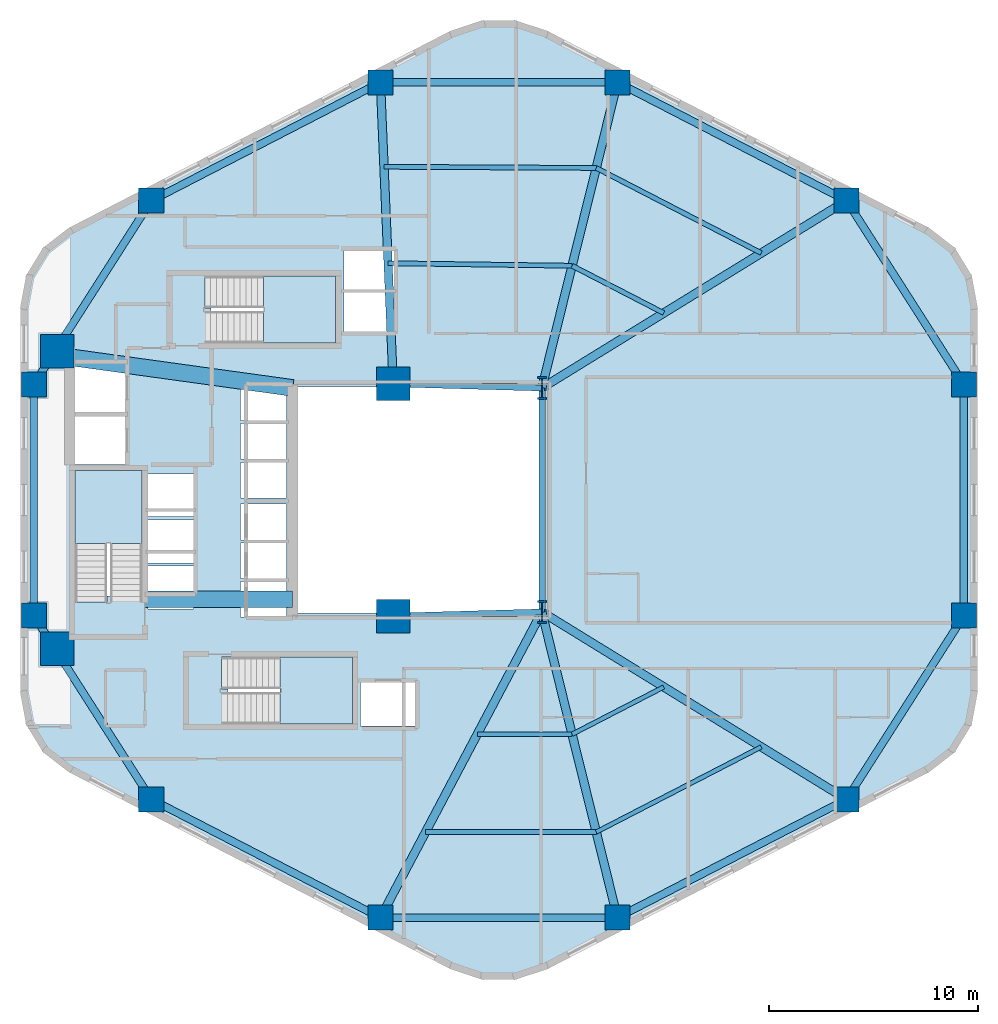
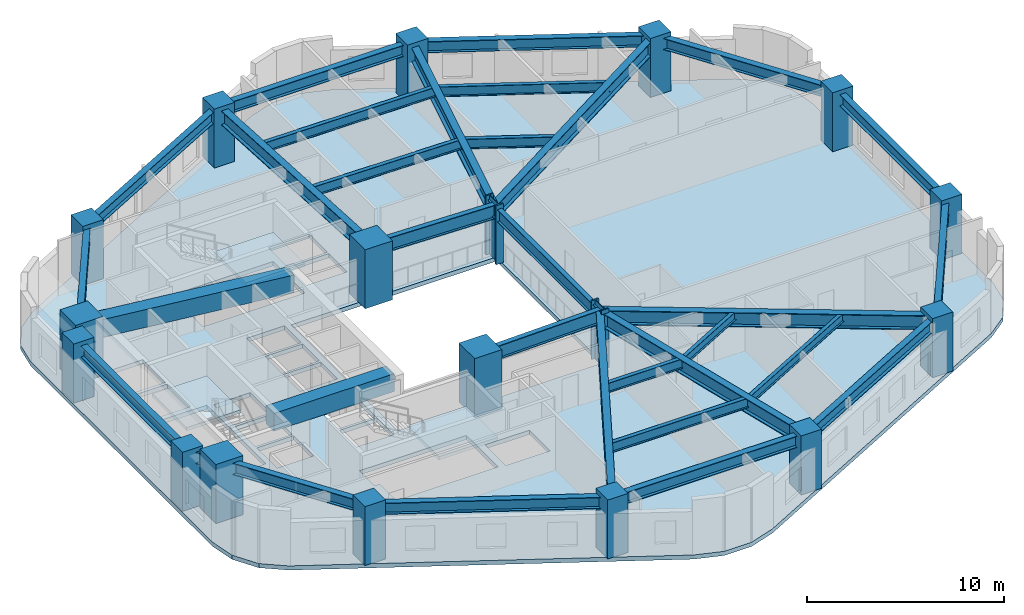
# One storey, part 1 of 7: 31 beams, 18 columns, 4 slabs, 3 elements without a shape of their own.
"""IFC4 building model written with IfcOpenShell, lengths in metres."""

from ifc_helpers import new_model, si_unit, direction, frame, origin, origin_2d, place, context, subcontext, project, spatial, polyline, rectangle, i_section, outline, extrude, material, layer, layer_set, material_profile, profile_set, type_object, element, aggregate, save


model = new_model("IFC4")

# Units and contexts
model_context = context("Model", 3, precision=1e-05, world=origin(), true_north=direction((0.0, 1.0)))
body_context = subcontext(model_context, "Body", "Model", "MODEL_VIEW")
ifc_project = project(units=[si_unit("LENGTHUNIT", "METRE"), si_unit("AREAUNIT", "SQUARE_METRE"), si_unit("VOLUMEUNIT", "CUBIC_METRE"), si_unit("PLANEANGLEUNIT", "RADIAN"), si_unit("MASSUNIT", "GRAM", prefix="KILO"), si_unit("THERMODYNAMICTEMPERATUREUNIT", "KELVIN"), si_unit("POWERUNIT", "WATT")], contexts=[model_context])

# Site, building, storey
site_placement = place(None, origin())
site = spatial("IfcSite", under=ifc_project, at=site_placement, CompositionType="ELEMENT")
building_placement = place(site_placement, origin())
building = spatial("IfcBuilding", under=site, at=building_placement, Name="Skarre Station Tower", CompositionType="ELEMENT")
storey_placement = place(building_placement, frame((0.0, 0.0, 85.39990234375)))
storey = spatial("IfcBuildingStorey", under=building, at=storey_placement, Name="L22", CompositionType="ELEMENT", Elevation=85.39990234375)

# Columns
ifc_material_1 = material(Name="Concrete C60/75", Category="concrete")
ifc_material_profile_1 = material_profile(ifc_material_1, rectangle(XDim=1.199951171875, YDim=1.199951171875, at=origin_2d()), Name="Concrete C60/75")
ifc_profile_set_1 = profile_set([ifc_material_profile_1], Name="Concrete C60/75")
column_type_1 = type_object("IfcColumnType", Name="RC Structural Column RC-COL-1200X1200", PredefinedType="COLUMN", material=ifc_profile_set_1)
for number, where, z_axis, x_axis, name in (
    (1, (54.007080078125, 38.298095703125, 0.0), (0.0, 0.0, 1.0), (1.0, 0.0, 0.0), "L22 Zone 1 Perimeter Column F0C1"),
    (2, (43.06005859375, 43.947021484375, 0.0), (0.0, 0.0, 1.0), (1.0, 0.0, 0.0), "L22 Zone 1 Perimeter Column F0C2"),
    (3, (31.739990234375, 43.947021484375, 0.0), (0.0, 0.0, 1.0), (1.0, 0.0, 0.0), "L22 Zone 1 Perimeter Column F1C1"),
    (4, (20.79296875, 38.298095703125, 0.0), (0.0, 0.0, 1.0), (1.0, 0.0, 0.0), "L22 Zone 1 Perimeter Column F1C2"),
    (5, (15.18701171875, 29.52099609375, 0.0), (0.0, 0.0, 1.0), (1.0, 0.0, 0.0), "L22 Zone 1 Perimeter Column F2C1"),
    (6, (15.18701171875, 18.47900390625, 0.0), (0.0, 0.0, 1.0), (1.0, 0.0, 0.0), "L22 Zone 1 Perimeter Column F2C2"),
    (7, (20.79296875, 9.701904296875, 0.0), (0.0, 0.0, 1.0), (1.0, 0.0, 0.0), "L22 Zone 1 Perimeter Column F3C1"),
    (8, (31.739990234375, 4.052978515625, 0.0), (0.0, 0.0, 1.0), (1.0, 0.0, 0.0), "L22 Zone 1 Perimeter Column F3C2"),
    (9, (43.06005859375, 4.052978515625, 0.0), (0.0, 0.0, 1.0), (1.0, 0.0, 0.0), "L22 Zone 1 Perimeter Column F4C1"),
    (10, (54.007080078125, 9.701904296875, 0.0), (0.0, 0.0, 1.0), (1.0, 0.0, 0.0), "L22 Zone 1 Perimeter Column F4C2"),
    (11, (59.613037109375, 18.47900390625, 0.0), (0.0, 0.0, 1.0), (1.0, 0.0, 0.0), "L22 Zone 1 Perimeter Column F5C1"),
    (12, (59.613037109375, 29.52099609375, 0.0), (0.0, 0.0, 1.0), (1.0, 0.0, 0.0), "L22 Zone 1 Perimeter Column F5C2"),
):
    element("IfcColumn", number, at=place(storey_placement, frame(where, z_axis=z_axis, x_axis=x_axis)), inside=storey, type_object=column_type_1, Name=name, PredefinedType="COLUMN", context=body_context, shape_type="SweptSolid", body=[
        extrude(rectangle(XDim=1.199951171875, YDim=1.199951171875, at=origin_2d()), origin(), (0.0, 0.0, 1.0), 3.650146484375),
    ])
ifc_material_2 = material(Name="Concrete C70/85", Category="concrete")
ifc_material_profile_2 = material_profile(ifc_material_2, rectangle(XDim=1.60009765625, YDim=1.60009765625, at=origin_2d()), Name="Concrete C70/85")
ifc_profile_set_2 = profile_set([ifc_material_profile_2], Name="Concrete C70/85")
column_type_2 = type_object("IfcColumnType", Name="RC Structural Column RC-COL-1600X1600", PredefinedType="COLUMN", material=ifc_profile_set_2)
for number, where, z_axis, x_axis, name in (
    (13, (16.300048828125, 16.89990234375, 0.0), (0.0, 0.0, 1.0), (1.0, 0.0, 0.0), "L22 Core Column CC-SW"),
    (14, (16.300048828125, 31.10009765625, 0.0), (0.0, 0.0, 1.0), (1.0, 0.0, 0.0), "L22 Core Column CC-NW"),
    (15, (32.35009765625, 18.449951171875, 0.0), (0.0, 0.0, 1.0), (1.0, 0.0, 0.0), "L22 Core Column CC-SE"),
    (16, (32.35009765625, 29.550048828125, 0.0), (0.0, 0.0, 1.0), (1.0, 0.0, 0.0), "L22 Core Column CC-NE"),
):
    element("IfcColumn", number, at=place(storey_placement, frame(where, z_axis=z_axis, x_axis=x_axis)), inside=storey, type_object=column_type_2, Name=name, PredefinedType="COLUMN", context=body_context, shape_type="SweptSolid", body=[
        extrude(rectangle(XDim=1.60009765625, YDim=1.60009765625, at=origin_2d()), origin(), (0.0, 0.0, 1.0), 3.650146484375),
    ])
ifc_material_3 = material(Name="Steel ASTM A913 Grade 65", Category="steel")
ifc_material_profile_3 = material_profile(ifc_material_3, i_section(OverallWidth=0.424072265625, OverallDepth=1.092041015625, WebThickness=0.044921875, FlangeThickness=0.08203125, at=origin_2d()), Name="Steel ASTM A913 Grade 65")
ifc_profile_set_3 = profile_set([ifc_material_profile_3], Name="Steel ASTM A913 Grade 65")
column_type_3 = type_object("IfcColumnType", Name="Steel Column W40X593", PredefinedType="COLUMN", material=ifc_profile_set_3)
for number, where, z_axis, x_axis, name in (
    (17, (39.449951171875, 18.64990234375, 0.0), (0.0, 0.0, 1.0), (1.0, 0.0, 0.0), "L22 Atrium Spine Column AC-SE"),
    (18, (39.449951171875, 29.35009765625, 0.0), (0.0, 0.0, 1.0), (1.0, 0.0, 0.0), "L22 Atrium Spine Column AC-NE"),
):
    element("IfcColumn", number, at=place(storey_placement, frame(where, z_axis=z_axis, x_axis=x_axis)), inside=storey, type_object=column_type_3, Name=name, PredefinedType="COLUMN", context=body_context, shape_type="SweptSolid", body=[
        extrude(i_section(OverallWidth=0.424072265625, OverallDepth=1.092041015625, WebThickness=0.044921875, FlangeThickness=0.08203125, at=origin_2d()), origin(), (0.0, 0.0, 1.0), 3.650146484375),
    ])

# Beams
ifc_material_profile_4 = material_profile(ifc_material_2, rectangle(XDim=0.800048828125, YDim=1.10009765625, at=origin_2d()), Name="Concrete C70/85")
ifc_profile_set_4 = profile_set([ifc_material_profile_4], Name="Concrete C70/85")
beam_type_1 = type_object("IfcBeamType", Name="RC Core Coupling Lintel 800x1100", PredefinedType="LINTEL", material=ifc_profile_set_4)
beam_1_placement = place(storey_placement, frame((20.489990234375, 19.260009765625, 2.840087890625), z_axis=(1.0, 0.0, 0.0), x_axis=(0.0, 1.0, 0.0)))
element("IfcBeam", 19, at=beam_1_placement, inside=storey, type_object=beam_type_1, Name="L22 South Core Coupling Lintel", PredefinedType="LINTEL", context=body_context, shape_type="SweptSolid", body=[
    extrude(rectangle(XDim=0.800048828125, YDim=1.10009765625, at=origin_2d()), origin(), (0.0, 0.0, 1.0), 7.06005859375),
])
beam_2_placement = place(storey_placement, frame((17.050048828125, 30.800048828125, 2.840087890625), z_axis=(0.990599723633, -0.136792498109, 0.0), x_axis=(0.136792498109, 0.990599723633, 0.0)))
element("IfcBeam", 20, at=beam_2_placement, inside=storey, type_object=beam_type_1, Name="L22 North Core Coupling Lintel", PredefinedType="LINTEL", context=body_context, shape_type="SweptSolid", body=[
    extrude(rectangle(XDim=0.800048828125, YDim=1.10009765625, at=origin_2d()), origin(), (0.0, 0.0, 1.0), 10.599609375),
])
ifc_material_4 = material(Name="Steel ASTM A992 Grade 50", Category="steel")
ifc_material_profile_5 = material_profile(ifc_material_4, i_section(OverallWidth=0.26806640625, OverallDepth=0.77001953125, WebThickness=0.01611328125, FlangeThickness=0.02490234375, at=origin_2d()), Name="Steel ASTM A992 Grade 50")
ifc_profile_set_5 = profile_set([ifc_material_profile_5], Name="Steel ASTM A992 Grade 50")
beam_type_2 = type_object("IfcBeamType", Name="Steel Beam W30X132", PredefinedType="BEAM", material=ifc_profile_set_5)
beam_3_placement = place(storey_placement, frame((39.449951171875, 18.64990234375, 3.005126953125), z_axis=(0.0, 1.0, 0.0), x_axis=(-1.0, 0.0, 0.0)))
element("IfcBeam", 21, at=beam_3_placement, inside=storey, type_object=beam_type_2, Name="L22 Atrium East Edge Girder", PredefinedType="BEAM", context=body_context, shape_type="SweptSolid", body=[
    extrude(i_section(OverallWidth=0.26806640625, OverallDepth=0.77001953125, WebThickness=0.01611328125, FlangeThickness=0.02490234375, at=origin_2d()), origin(), (0.0, 0.0, 1.0), 10.7001953125),
])
ifc_material_profile_6 = material_profile(ifc_material_4, i_section(OverallWidth=0.2919921875, OverallDepth=0.85888671875, WebThickness=0.01708984375, FlangeThickness=0.031005859375, at=origin_2d()), Name="Steel ASTM A992 Grade 50")
ifc_profile_set_6 = profile_set([ifc_material_profile_6], Name="Steel ASTM A992 Grade 50")
beam_type_3 = type_object("IfcBeamType", Name="Steel Beam W33X169", PredefinedType="BEAM", material=ifc_profile_set_6)
for number, where, z_axis, x_axis, name in (
    (22, (32.35009765625, 18.449951171875, 2.961181640625), (0.999603666405, 0.028151556095, 0.0), (-0.028151556095, 0.999603666405, 0.0), "L22 Atrium South Edge Girder"),
    (23, (32.35009765625, 29.550048828125, 2.961181640625), (0.999603666405, -0.028151556095, 0.0), (0.028151556095, 0.999603666405, 0.0), "L22 Atrium North Edge Girder"),
):
    element("IfcBeam", number, at=place(storey_placement, frame(where, z_axis=z_axis, x_axis=x_axis)), inside=storey, type_object=beam_type_3, Name=name, PredefinedType="BEAM", context=body_context, shape_type="SweptSolid", body=[
        extrude(i_section(OverallWidth=0.2919921875, OverallDepth=0.85888671875, WebThickness=0.01708984375, FlangeThickness=0.031005859375, at=origin_2d()), origin(), (0.0, 0.0, 1.0), 7.102783203125),
    ])
ifc_material_profile_7 = material_profile(ifc_material_4, i_section(OverallWidth=0.40087890625, OverallDepth=0.876953125, WebThickness=0.02197265625, FlangeThickness=0.0400390625, at=origin_2d()), Name="Steel ASTM A992 Grade 50")
ifc_profile_set_7 = profile_set([ifc_material_profile_7], Name="Steel ASTM A992 Grade 50")
beam_type_4 = type_object("IfcBeamType", Name="Steel Beam W33X263", PredefinedType="BEAM", material=ifc_profile_set_7)
beam_4_placement = place(storey_placement, frame((39.449951171875, 29.35009765625, 2.9521484375), z_axis=(0.851925565957, 0.523662897358, 0.0), x_axis=(-0.523662897358, 0.851925565957, 0.0)))
element("IfcBeam", 24, at=beam_4_placement, inside=storey, type_object=beam_type_4, Name="L22 Radial Floor Girder F0C1", PredefinedType="BEAM", context=body_context, shape_type="SweptSolid", body=[
    extrude(i_section(OverallWidth=0.40087890625, OverallDepth=0.876953125, WebThickness=0.02197265625, FlangeThickness=0.0400390625, at=origin_2d()), origin(), (0.0, 0.0, 1.0), 17.08740234375),
])
beam_5_placement = place(storey_placement, frame((39.449951171875, 29.35009765625, 2.9521484375), z_axis=(0.240086037639, 0.9707516132, 0.0), x_axis=(-0.9707516132, 0.240086037639, 0.0)))
element("IfcBeam", 25, at=beam_5_placement, inside=storey, type_object=beam_type_4, Name="L22 Radial Floor Girder F0C2", PredefinedType="BEAM", context=body_context, shape_type="SweptSolid", body=[
    extrude(i_section(OverallWidth=0.40087890625, OverallDepth=0.876953125, WebThickness=0.02197265625, FlangeThickness=0.0400390625, at=origin_2d()), origin(), (0.0, 0.0, 1.0), 15.03662109375),
])
beam_6_placement = place(storey_placement, frame((32.35009765625, 29.550048828125, 2.9521484375), z_axis=(-0.042339479433, 0.999103282189, 0.0), x_axis=(-0.999103282189, -0.042339479433, 0.0)))
element("IfcBeam", 26, at=beam_6_placement, inside=storey, type_object=beam_type_4, Name="L22 Radial Floor Girder F1C1", PredefinedType="BEAM", context=body_context, shape_type="SweptSolid", body=[
    extrude(i_section(OverallWidth=0.40087890625, OverallDepth=0.876953125, WebThickness=0.02197265625, FlangeThickness=0.0400390625, at=origin_2d()), origin(), (0.0, 0.0, 1.0), 14.409912109375),
])
beam_7_placement = place(storey_placement, frame((39.449951171875, 18.64990234375, 2.9521484375), z_axis=(-0.467044240884, -0.884233949279, 0.0), x_axis=(0.884233949279, -0.467044240884, 0.0)))
element("IfcBeam", 27, at=beam_7_placement, inside=storey, type_object=beam_type_4, Name="L22 Radial Floor Girder F3C2", PredefinedType="BEAM", context=body_context, shape_type="SweptSolid", body=[
    extrude(i_section(OverallWidth=0.40087890625, OverallDepth=0.876953125, WebThickness=0.02197265625, FlangeThickness=0.0400390625, at=origin_2d()), origin(), (0.0, 0.0, 1.0), 16.508056640625),
])
beam_8_placement = place(storey_placement, frame((39.449951171875, 18.64990234375, 2.9521484375), z_axis=(0.240086037639, -0.9707516132, 0.0), x_axis=(0.9707516132, 0.240086037639, 0.0)))
element("IfcBeam", 28, at=beam_8_placement, inside=storey, type_object=beam_type_4, Name="L22 Radial Floor Girder F4C1", PredefinedType="BEAM", context=body_context, shape_type="SweptSolid", body=[
    extrude(i_section(OverallWidth=0.40087890625, OverallDepth=0.876953125, WebThickness=0.02197265625, FlangeThickness=0.0400390625, at=origin_2d()), origin(), (0.0, 0.0, 1.0), 15.03662109375),
])
beam_9_placement = place(storey_placement, frame((39.449951171875, 18.64990234375, 2.9521484375), z_axis=(0.851925565957, -0.523662897358, 0.0), x_axis=(0.523662897358, 0.851925565957, 0.0)))
element("IfcBeam", 29, at=beam_9_placement, inside=storey, type_object=beam_type_4, Name="L22 Radial Floor Girder F4C2", PredefinedType="BEAM", context=body_context, shape_type="SweptSolid", body=[
    extrude(i_section(OverallWidth=0.40087890625, OverallDepth=0.876953125, WebThickness=0.02197265625, FlangeThickness=0.0400390625, at=origin_2d()), origin(), (0.0, 0.0, 1.0), 17.08740234375),
])
ifc_material_profile_8 = material_profile(ifc_material_4, i_section(OverallWidth=0.208984375, OverallDepth=0.532958984375, WebThickness=0.010009765625, FlangeThickness=0.01611328125, at=origin_2d()), Name="Steel ASTM A992 Grade 50")
ifc_profile_set_8 = profile_set([ifc_material_profile_8], Name="Steel ASTM A992 Grade 50")
beam_type_5 = type_object("IfcBeamType", Name="Steel Joist W21X62", PredefinedType="JOIST", material=ifc_profile_set_8)
beam_10_placement = place(storey_placement, frame((40.89404296875, 12.81103515625, 3.1240234375), z_axis=(0.888626519249, 0.458631561591, 0.0), x_axis=(-0.458631561591, 0.888626519249, 0.0)))
element("IfcBeam", 30, at=beam_10_placement, inside=storey, type_object=beam_type_5, Name="L22 Auxiliary Composite Joist 7", PredefinedType="JOIST", context=body_context, shape_type="SweptSolid", body=[
    extrude(i_section(OverallWidth=0.208984375, OverallDepth=0.532958984375, WebThickness=0.010009765625, FlangeThickness=0.01611328125, at=origin_2d()), origin(), (0.0, 0.0, 1.0), 4.927734375),
])
beam_11_placement = place(storey_placement, frame((42.049072265625, 8.139892578125, 3.1240234375), z_axis=(0.88866227096, 0.458562283853, 0.0), x_axis=(-0.458562283853, 0.88866227096, 0.0)))
element("IfcBeam", 31, at=beam_11_placement, inside=storey, type_object=beam_type_5, Name="L22 Auxiliary Composite Joist 8", PredefinedType="JOIST", context=body_context, shape_type="SweptSolid", body=[
    extrude(i_section(OverallWidth=0.208984375, OverallDepth=0.532958984375, WebThickness=0.010009765625, FlangeThickness=0.01611328125, at=origin_2d()), origin(), (0.0, 0.0, 1.0), 8.869384765625),
])
ifc_material_profile_9 = material_profile(ifc_material_4, i_section(OverallWidth=0.22802734375, OverallDepth=0.60791015625, WebThickness=0.010986328125, FlangeThickness=0.01708984375, at=origin_2d()), Name="Steel ASTM A992 Grade 50")
ifc_profile_set_9 = profile_set([ifc_material_profile_9], Name="Steel ASTM A992 Grade 50")
beam_type_6 = type_object("IfcBeamType", Name="Steel Joist W24X76", PredefinedType="JOIST", material=ifc_profile_set_9)
beam_12_placement = place(storey_placement, frame((45.27294921875, 32.928955078125, 3.086181640625), z_axis=(-0.888626519249, 0.458631561591, 0.0), x_axis=(-0.458631561591, -0.888626519249, 0.0)))
element("IfcBeam", 32, at=beam_12_placement, inside=storey, type_object=beam_type_6, Name="L22 Secondary Floor Joist 1", PredefinedType="JOIST", context=body_context, shape_type="SweptSolid", body=[
    extrude(i_section(OverallWidth=0.22802734375, OverallDepth=0.60791015625, WebThickness=0.010986328125, FlangeThickness=0.01708984375, at=origin_2d()), origin(), (0.0, 0.0, 1.0), 4.927734375),
])
beam_13_placement = place(storey_placement, frame((49.930908203125, 35.79296875, 3.086181640625), z_axis=(-0.88866227096, 0.458562283853, 0.0), x_axis=(-0.458562283853, -0.88866227096, 0.0)))
element("IfcBeam", 33, at=beam_13_placement, inside=storey, type_object=beam_type_6, Name="L22 Secondary Floor Joist 2", PredefinedType="JOIST", context=body_context, shape_type="SweptSolid", body=[
    extrude(i_section(OverallWidth=0.22802734375, OverallDepth=0.60791015625, WebThickness=0.010986328125, FlangeThickness=0.01708984375, at=origin_2d()), origin(), (0.0, 0.0, 1.0), 8.869384765625),
])
beam_14_placement = place(storey_placement, frame((40.89404296875, 35.18896484375, 3.086181640625), z_axis=(-0.999906603441, 0.013666908792, 0.0), x_axis=(-0.013666908792, -0.999906603441, 0.0)))
element("IfcBeam", 34, at=beam_14_placement, inside=storey, type_object=beam_type_6, Name="L22 Secondary Floor Joist 3", PredefinedType="JOIST", context=body_context, shape_type="SweptSolid", body=[
    extrude(i_section(OverallWidth=0.22802734375, OverallDepth=0.60791015625, WebThickness=0.010986328125, FlangeThickness=0.01708984375, at=origin_2d()), origin(), (0.0, 0.0, 1.0), 8.788818359375),
])
beam_15_placement = place(storey_placement, frame((42.049072265625, 39.860107421875, 3.086181640625), z_axis=(-0.999984794845, 0.005514533498, 0.0), x_axis=(-0.005514533498, -0.999984794845, 0.0)))
element("IfcBeam", 35, at=beam_15_placement, inside=storey, type_object=beam_type_6, Name="L22 Secondary Floor Joist 4", PredefinedType="JOIST", context=body_context, shape_type="SweptSolid", body=[
    extrude(i_section(OverallWidth=0.22802734375, OverallDepth=0.60791015625, WebThickness=0.010986328125, FlangeThickness=0.01708984375, at=origin_2d()), origin(), (0.0, 0.0, 1.0), 10.138427734375),
])
beam_16_placement = place(storey_placement, frame((36.365966796875, 12.81103515625, 3.086181640625), z_axis=(1.0, 0.0, 0.0), x_axis=(0.0, 1.0, 0.0)))
element("IfcBeam", 36, at=beam_16_placement, inside=storey, type_object=beam_type_6, Name="L22 Secondary Floor Joist 5", PredefinedType="JOIST", context=body_context, shape_type="SweptSolid", body=[
    extrude(i_section(OverallWidth=0.22802734375, OverallDepth=0.60791015625, WebThickness=0.010986328125, FlangeThickness=0.01708984375, at=origin_2d()), origin(), (0.0, 0.0, 1.0), 4.528076171875),
])
beam_17_placement = place(storey_placement, frame((33.89892578125, 8.139892578125, 3.086181640625), z_axis=(1.0, 0.0, 0.0), x_axis=(0.0, 1.0, 0.0)))
element("IfcBeam", 37, at=beam_17_placement, inside=storey, type_object=beam_type_6, Name="L22 Secondary Floor Joist 6", PredefinedType="JOIST", context=body_context, shape_type="SweptSolid", body=[
    extrude(i_section(OverallWidth=0.22802734375, OverallDepth=0.60791015625, WebThickness=0.010986328125, FlangeThickness=0.01708984375, at=origin_2d()), origin(), (0.0, 0.0, 1.0), 8.150146484375),
])
ifc_material_profile_10 = material_profile(ifc_material_4, i_section(OverallWidth=0.35791015625, OverallDepth=0.7060546875, WebThickness=0.01806640625, FlangeThickness=0.030029296875, at=origin_2d()), Name="Steel ASTM A992 Grade 50")
ifc_profile_set_10 = profile_set([ifc_material_profile_10], Name="Steel ASTM A992 Grade 50")
beam_type_7 = type_object("IfcBeamType", Name="Steel Spandrel W27X178", PredefinedType="SPANDREL", material=ifc_profile_set_10)
beam_18_placement = place(storey_placement, frame((54.007080078125, 38.298095703125, 3.037109375), z_axis=(-0.888658695823, 0.458569212158, 0.0), x_axis=(-0.458569212158, -0.888658695823, 0.0)))
element("IfcBeam", 38, at=beam_18_placement, inside=storey, type_object=beam_type_7, Name="L22 Facet Spandrel Beam 1", PredefinedType="SPANDREL", context=body_context, shape_type="SweptSolid", body=[
    extrude(i_section(OverallWidth=0.35791015625, OverallDepth=0.7060546875, WebThickness=0.01806640625, FlangeThickness=0.030029296875, at=origin_2d()), origin(), (0.0, 0.0, 1.0), 12.318603515625),
])
beam_19_placement = place(storey_placement, frame((43.06005859375, 43.947021484375, 3.037109375), z_axis=(-1.0, 0.0, 0.0), x_axis=(0.0, -1.0, 0.0)))
element("IfcBeam", 39, at=beam_19_placement, inside=storey, type_object=beam_type_7, Name="L22 Facet Spandrel Beam 2", PredefinedType="SPANDREL", context=body_context, shape_type="SweptSolid", body=[
    extrude(i_section(OverallWidth=0.35791015625, OverallDepth=0.7060546875, WebThickness=0.01806640625, FlangeThickness=0.030029296875, at=origin_2d()), origin(), (0.0, 0.0, 1.0), 11.320068359375),
])
beam_20_placement = place(storey_placement, frame((31.739990234375, 43.947021484375, 3.037109375), z_axis=(-0.888658695823, -0.458569212158, 0.0), x_axis=(0.458569212158, -0.888658695823, 0.0)))
element("IfcBeam", 40, at=beam_20_placement, inside=storey, type_object=beam_type_7, Name="L22 Facet Spandrel Beam 3", PredefinedType="SPANDREL", context=body_context, shape_type="SweptSolid", body=[
    extrude(i_section(OverallWidth=0.35791015625, OverallDepth=0.7060546875, WebThickness=0.01806640625, FlangeThickness=0.030029296875, at=origin_2d()), origin(), (0.0, 0.0, 1.0), 12.318603515625),
])
beam_21_placement = place(storey_placement, frame((20.79296875, 38.298095703125, 3.037109375), z_axis=(-0.538277829225, -0.842767452246, 0.0), x_axis=(0.842767452246, -0.538277829225, 0.0)))
element("IfcBeam", 41, at=beam_21_placement, inside=storey, type_object=beam_type_7, Name="L22 Facet Spandrel Beam 4", PredefinedType="SPANDREL", context=body_context, shape_type="SweptSolid", body=[
    extrude(i_section(OverallWidth=0.35791015625, OverallDepth=0.7060546875, WebThickness=0.01806640625, FlangeThickness=0.030029296875, at=origin_2d()), origin(), (0.0, 0.0, 1.0), 10.41455078125),
])
beam_22_placement = place(storey_placement, frame((15.18701171875, 29.52099609375, 3.037109375), z_axis=(0.0, -1.0, 0.0), x_axis=(1.0, 0.0, 0.0)))
element("IfcBeam", 42, at=beam_22_placement, inside=storey, type_object=beam_type_7, Name="L22 Facet Spandrel Beam 5", PredefinedType="SPANDREL", context=body_context, shape_type="SweptSolid", body=[
    extrude(i_section(OverallWidth=0.35791015625, OverallDepth=0.7060546875, WebThickness=0.01806640625, FlangeThickness=0.030029296875, at=origin_2d()), origin(), (0.0, 0.0, 1.0), 11.0419921875),
])
beam_23_placement = place(storey_placement, frame((15.18701171875, 18.47900390625, 3.037109375), z_axis=(0.538277829225, -0.842767452246, 0.0), x_axis=(0.842767452246, 0.538277829225, 0.0)))
element("IfcBeam", 43, at=beam_23_placement, inside=storey, type_object=beam_type_7, Name="L22 Facet Spandrel Beam 6", PredefinedType="SPANDREL", context=body_context, shape_type="SweptSolid", body=[
    extrude(i_section(OverallWidth=0.35791015625, OverallDepth=0.7060546875, WebThickness=0.01806640625, FlangeThickness=0.030029296875, at=origin_2d()), origin(), (0.0, 0.0, 1.0), 10.41455078125),
])
beam_24_placement = place(storey_placement, frame((20.79296875, 9.701904296875, 3.037109375), z_axis=(0.888658695823, -0.458569212158, 0.0), x_axis=(0.458569212158, 0.888658695823, 0.0)))
element("IfcBeam", 44, at=beam_24_placement, inside=storey, type_object=beam_type_7, Name="L22 Facet Spandrel Beam 7", PredefinedType="SPANDREL", context=body_context, shape_type="SweptSolid", body=[
    extrude(i_section(OverallWidth=0.35791015625, OverallDepth=0.7060546875, WebThickness=0.01806640625, FlangeThickness=0.030029296875, at=origin_2d()), origin(), (0.0, 0.0, 1.0), 12.318603515625),
])
beam_25_placement = place(storey_placement, frame((31.739990234375, 4.052978515625, 3.037109375), z_axis=(1.0, 0.0, 0.0), x_axis=(0.0, 1.0, 0.0)))
element("IfcBeam", 45, at=beam_25_placement, inside=storey, type_object=beam_type_7, Name="L22 Facet Spandrel Beam 8", PredefinedType="SPANDREL", context=body_context, shape_type="SweptSolid", body=[
    extrude(i_section(OverallWidth=0.35791015625, OverallDepth=0.7060546875, WebThickness=0.01806640625, FlangeThickness=0.030029296875, at=origin_2d()), origin(), (0.0, 0.0, 1.0), 11.320068359375),
])
beam_26_placement = place(storey_placement, frame((43.06005859375, 4.052978515625, 3.037109375), z_axis=(0.888658695823, 0.458569212158, 0.0), x_axis=(-0.458569212158, 0.888658695823, 0.0)))
element("IfcBeam", 46, at=beam_26_placement, inside=storey, type_object=beam_type_7, Name="L22 Facet Spandrel Beam 9", PredefinedType="SPANDREL", context=body_context, shape_type="SweptSolid", body=[
    extrude(i_section(OverallWidth=0.35791015625, OverallDepth=0.7060546875, WebThickness=0.01806640625, FlangeThickness=0.030029296875, at=origin_2d()), origin(), (0.0, 0.0, 1.0), 12.318603515625),
])
beam_27_placement = place(storey_placement, frame((54.007080078125, 9.701904296875, 3.037109375), z_axis=(0.538277829225, 0.842767452246, 0.0), x_axis=(-0.842767452246, 0.538277829225, 0.0)))
element("IfcBeam", 47, at=beam_27_placement, inside=storey, type_object=beam_type_7, Name="L22 Facet Spandrel Beam 10", PredefinedType="SPANDREL", context=body_context, shape_type="SweptSolid", body=[
    extrude(i_section(OverallWidth=0.35791015625, OverallDepth=0.7060546875, WebThickness=0.01806640625, FlangeThickness=0.030029296875, at=origin_2d()), origin(), (0.0, 0.0, 1.0), 10.41455078125),
])
beam_28_placement = place(storey_placement, frame((59.613037109375, 18.47900390625, 3.037109375), z_axis=(0.0, 1.0, 0.0), x_axis=(-1.0, 0.0, 0.0)))
element("IfcBeam", 48, at=beam_28_placement, inside=storey, type_object=beam_type_7, Name="L22 Facet Spandrel Beam 11", PredefinedType="SPANDREL", context=body_context, shape_type="SweptSolid", body=[
    extrude(i_section(OverallWidth=0.35791015625, OverallDepth=0.7060546875, WebThickness=0.01806640625, FlangeThickness=0.030029296875, at=origin_2d()), origin(), (0.0, 0.0, 1.0), 11.0419921875),
])
beam_29_placement = place(storey_placement, frame((59.613037109375, 29.52099609375, 3.037109375), z_axis=(-0.538277829225, 0.842767452246, 0.0), x_axis=(-0.842767452246, -0.538277829225, 0.0)))
element("IfcBeam", 49, at=beam_29_placement, inside=storey, type_object=beam_type_7, Name="L22 Facet Spandrel Beam 12", PredefinedType="SPANDREL", context=body_context, shape_type="SweptSolid", body=[
    extrude(i_section(OverallWidth=0.35791015625, OverallDepth=0.7060546875, WebThickness=0.01806640625, FlangeThickness=0.030029296875, at=origin_2d()), origin(), (0.0, 0.0, 1.0), 10.41455078125),
])

# Stair, slab
ifc_material_5 = material(Name="Concrete C40/50", Category="concrete")
stair_type_1 = type_object("IfcStairType", Name="Reinforced Concrete Exit Stair ST-1", PredefinedType="HALF_TURN_STAIR", material=ifc_material_5)
stair_1_placement = place(storey_placement, origin())
stair_1 = element("IfcStair", 50, at=stair_1_placement, inside=storey, type_object=stair_type_1, Name="L22 Core Exit Stair ST-1", PredefinedType="HALF_TURN_STAIR")
ifc_layer_1 = layer(ifc_material_5, 0.219970703125, Name="Concrete C40/50")
ifc_layer_set_1 = layer_set([ifc_layer_1], Name="Concrete C40/50")
slab_type_1 = type_object("IfcSlabType", Name="Reinforced Concrete Stair & Ramp Landing 220", PredefinedType="LANDING", material=ifc_layer_set_1)
slab_1_placement = place(storey_placement, frame((0.0, 0.0, 1.625)))
slab_1 = element("IfcSlab", 51, at=slab_1_placement, type_object=slab_type_1, Name="ST-1 landing 1", PredefinedType="LANDING", context=body_context, shape_type="SweptSolid", body=[
    extrude(outline(polyline([(20.35009765625, 21.919921875), (20.35009765625, 25.39990234375), (17.14990234375, 25.39990234375), (17.14990234375, 21.919921875), (20.35009765625, 21.919921875)])), origin(), (0.0, 0.0, 1.0), 0.2001953125),
])
aggregate(stair_1, [slab_1])

stair_type_2 = type_object("IfcStairType", Name="Reinforced Concrete Exit Stair ST-2", PredefinedType="HALF_TURN_STAIR", material=ifc_material_5)
stair_2_placement = place(storey_placement, origin())
stair_2 = element("IfcStair", 52, at=stair_2_placement, inside=storey, type_object=stair_type_2, Name="L22 Core Exit Stair ST-2", PredefinedType="HALF_TURN_STAIR")
slab_2_placement = place(storey_placement, frame((0.0, 0.0, 1.625)))
slab_2 = element("IfcSlab", 53, at=slab_2_placement, type_object=slab_type_1, Name="ST-2 landing 1", PredefinedType="LANDING", context=body_context, shape_type="SweptSolid", body=[
    extrude(outline(polyline([(26.949951171875, 13.300048828125), (30.39990234375, 13.300048828125), (30.39990234375, 16.5), (26.949951171875, 16.5), (26.949951171875, 13.300048828125)])), origin(), (0.0, 0.0, 1.0), 0.2001953125),
])
aggregate(stair_2, [slab_2])

stair_type_3 = type_object("IfcStairType", Name="Reinforced Concrete Exit Stair ST-3", PredefinedType="HALF_TURN_STAIR", material=ifc_material_5)
stair_3_placement = place(storey_placement, origin())
stair_3 = element("IfcStair", 54, at=stair_3_placement, inside=storey, type_object=stair_type_3, Name="L22 Core Exit Stair ST-3", PredefinedType="HALF_TURN_STAIR")
slab_3_placement = place(storey_placement, frame((0.0, 0.0, 1.625)))
slab_3 = element("IfcSlab", 55, at=slab_3_placement, type_object=slab_type_1, Name="ST-3 landing 1", PredefinedType="LANDING", context=body_context, shape_type="SweptSolid", body=[
    extrude(outline(polyline([(26.14990234375, 31.5), (29.60009765625, 31.5), (29.60009765625, 34.699951171875), (26.14990234375, 34.699951171875), (26.14990234375, 31.5)])), origin(), (0.0, 0.0, 1.0), 0.2001953125),
])
aggregate(stair_3, [slab_3])

# Slab
ifc_material_6 = material(Name="Concrete C50/60", Category="concrete")
ifc_layer_2 = layer(ifc_material_6, 0.260009765625, Name="Concrete C50/60")
ifc_layer_set_2 = layer_set([ifc_layer_2], Name="Concrete C50/60")
slab_type_2 = type_object("IfcSlabType", Name="Tower Typical Composite Floor Slab 260", PredefinedType="FLOOR", material=ifc_layer_set_2)
slab_4_placement = place(storey_placement, frame((0.0, 0.0, -0.260009765625)))
element("IfcSlab", 56, at=slab_4_placement, inside=storey, type_object=slab_type_2, Name="L22 Zone 1 Structural Floor Slab", PredefinedType="FLOOR", context=body_context, shape_type="SweptSolid", body=[
    extrude(outline(polyline([(60.262939453125, 33.201904296875), (59.98193359375, 34.72412109375), (59.177001953125, 36.044921875), (57.9541015625, 36.991943359375), (39.708984375, 46.407958984375), (38.196044921875, 46.906005859375), (36.60400390625, 46.906005859375), (35.091064453125, 46.407958984375), (16.845947265625, 36.991943359375), (15.623046875, 36.044921875), (14.818115234375, 34.72412109375), (14.537109375, 33.201904296875), (14.537109375, 14.798095703125), (14.818115234375, 13.27587890625), (15.623046875, 11.955078125), (16.845947265625, 11.008056640625), (35.091064453125, 1.592041015625), (36.60400390625, 1.093994140625), (38.196044921875, 1.093994140625), (39.708984375, 1.592041015625), (57.9541015625, 11.008056640625), (59.177001953125, 11.955078125), (59.98193359375, 13.27587890625), (60.262939453125, 14.798095703125), (60.262939453125, 33.201904296875)]), holes=[polyline([(18.669921875, 19.419921875), (18.669921875, 19.123046875), (17.14990234375, 19.123046875), (17.14990234375, 25.39990234375), (20.35009765625, 25.39990234375), (20.35009765625, 19.419921875), (18.669921875, 19.419921875)]), polyline([(24.449951171875, 14.97998046875), (24.153076171875, 14.97998046875), (24.153076171875, 16.5), (30.39990234375, 16.5), (30.39990234375, 13.300048828125), (24.449951171875, 13.300048828125), (24.449951171875, 14.97998046875)]), polyline([(23.64990234375, 33.179931640625), (23.35302734375, 33.179931640625), (23.35302734375, 34.699951171875), (29.60009765625, 34.699951171875), (29.60009765625, 31.5), (23.64990234375, 31.5), (23.64990234375, 33.179931640625)]), polyline([(17.14990234375, 28.0), (19.550048828125, 28.0), (19.550048828125, 25.699951171875), (17.14990234375, 25.699951171875), (17.14990234375, 28.0)]), polyline([(17.14990234375, 30.5), (19.550048828125, 30.5), (19.550048828125, 28.199951171875), (17.14990234375, 28.199951171875), (17.14990234375, 30.5)]), polyline([(30.800048828125, 15.300048828125), (33.39990234375, 15.300048828125), (33.39990234375, 13.199951171875), (30.800048828125, 13.199951171875), (30.800048828125, 15.300048828125)]), polyline([(25.050048828125, 20.10009765625), (27.25, 20.10009765625), (27.25, 18.39990234375), (25.050048828125, 18.39990234375), (25.050048828125, 20.10009765625)]), polyline([(25.050048828125, 21.949951171875), (27.25, 21.949951171875), (27.25, 20.25), (25.050048828125, 20.25), (25.050048828125, 21.949951171875)]), polyline([(25.050048828125, 23.800048828125), (27.25, 23.800048828125), (27.25, 22.10009765625), (25.050048828125, 22.10009765625), (25.050048828125, 23.800048828125)]), polyline([(25.050048828125, 25.800048828125), (27.25, 25.800048828125), (27.25, 24.10009765625), (25.050048828125, 24.10009765625), (25.050048828125, 25.800048828125)]), polyline([(25.050048828125, 27.64990234375), (27.25, 27.64990234375), (27.25, 25.949951171875), (25.050048828125, 25.949951171875), (25.050048828125, 27.64990234375)]), polyline([(25.050048828125, 29.5), (27.25, 29.5), (27.25, 27.800048828125), (25.050048828125, 27.800048828125), (25.050048828125, 29.5)]), polyline([(20.64990234375, 20.85009765625), (22.800048828125, 20.85009765625), (22.800048828125, 18.800048828125), (20.64990234375, 18.800048828125), (20.64990234375, 20.85009765625)]), polyline([(20.64990234375, 23.050048828125), (22.800048828125, 23.050048828125), (22.800048828125, 21.0), (20.64990234375, 21.0), (20.64990234375, 23.050048828125)]), polyline([(20.64990234375, 25.25), (22.800048828125, 25.25), (22.800048828125, 23.199951171875), (20.64990234375, 23.199951171875), (20.64990234375, 25.25)]), polyline([(30.0, 33.89990234375), (32.39990234375, 33.89990234375), (32.39990234375, 32.050048828125), (30.0, 32.050048828125), (30.0, 33.89990234375)]), polyline([(30.0, 35.89990234375), (32.39990234375, 35.89990234375), (32.39990234375, 34.050048828125), (30.0, 34.050048828125), (30.0, 35.89990234375)]), polyline([(27.60009765625, 29.39990234375), (39.60009765625, 29.39990234375), (39.60009765625, 18.60009765625), (27.60009765625, 18.60009765625), (27.60009765625, 29.39990234375)])]), origin(), (0.0, 0.0, 1.0), 0.260009765625),
])

save(model, "model.ifc")
